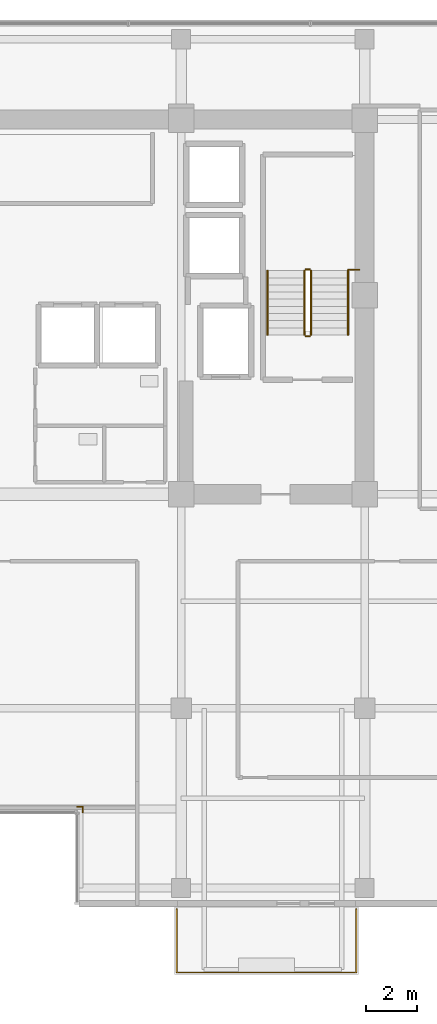
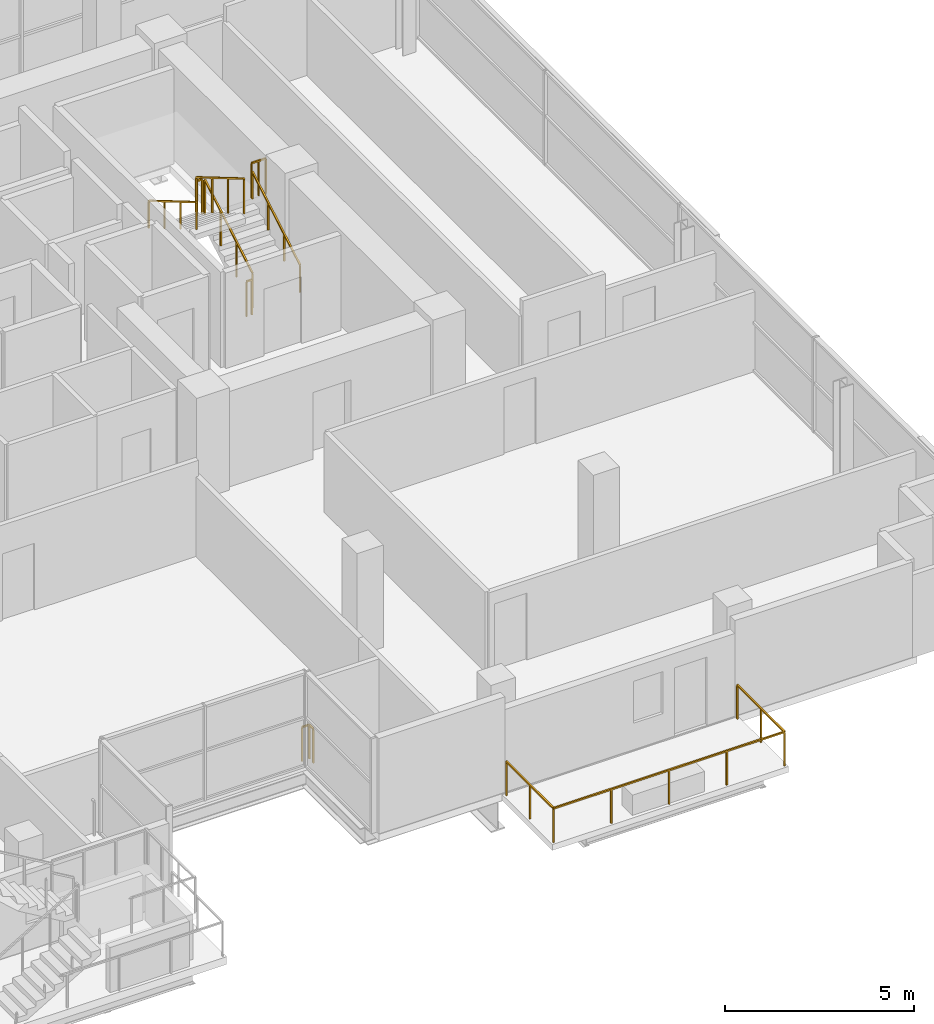
# One storey, part 22 of 23: 10 railings.
"""IFC4 building model written with IfcOpenShell, lengths in metres."""

from ifc_helpers import new_model, si_unit, direction, frame, origin, origin_2d, place, context, subcontext, project, spatial, rectangle, extrude, material, type_object, element, save


model = new_model("IFC4")

# Units and contexts
model_context = context("Model", 3, precision=1e-05, world=origin(), true_north=direction((0.0, 1.0)))
body_context = subcontext(model_context, "Body", "Model", "MODEL_VIEW")
ifc_project = project(units=[si_unit("LENGTHUNIT", "METRE"), si_unit("AREAUNIT", "SQUARE_METRE"), si_unit("VOLUMEUNIT", "CUBIC_METRE"), si_unit("PLANEANGLEUNIT", "RADIAN"), si_unit("MASSUNIT", "GRAM", prefix="KILO")], contexts=[model_context])

# Site, building, storey
site_placement = place(None, origin())
site = spatial("IfcSite", under=ifc_project, at=site_placement, CompositionType="ELEMENT")
building_placement = place(site_placement, origin())
building = spatial("IfcBuilding", under=site, at=building_placement, Name="Zarnakvel Exchange Tower", CompositionType="ELEMENT")
storey_placement = place(building_placement, frame((0.0, 0.0, 146.199951171875)))
storey = spatial("IfcBuildingStorey", under=building, at=storey_placement, Name="L40", CompositionType="ELEMENT", Elevation=146.199951171875)

# Railings
ifc_material_1 = material(Name="Architectural Bronze Anodised Aluminium", Category="aluminium")
railing_type_1 = type_object("IfcRailingType", Name="GR-02", PredefinedType="GUARDRAIL", material=ifc_material_1)
railing_1_placement = place(storey_placement, frame((7.030029296875, -17.47998046875, -0.034912109375)))
element("IfcRailing", 1, at=railing_1_placement, inside=storey, type_object=railing_type_1, Name="L40 Balcony Guardrail BAL-L40-SE", PredefinedType="GUARDRAIL", context=body_context, shape_type="SweptSolid", body=[
    extrude(rectangle(XDim=0.048095703125, YDim=0.048095703125, at=origin_2d()), frame((0.0, 0.0, 1.09619140625), z_axis=(0.0, -1.0, 0.0), x_axis=(1.0, 0.0, 0.0)), (0.0, 0.0, 1.0), 2.489990234375),
    extrude(rectangle(XDim=0.048095703125, YDim=0.048095703125, at=origin_2d()), frame((0.0, -2.489990234375, 1.09619140625), z_axis=(1.0, 0.0, 0.0), x_axis=(0.0, 1.0, 0.0)), (0.0, 0.0, 1.0), 7.0400390625),
    extrude(rectangle(XDim=0.048095703125, YDim=0.048095703125, at=origin_2d()), frame((7.0400390625, -2.489990234375, 1.09619140625), z_axis=(0.0, 1.0, 0.0), x_axis=(-1.0, 0.0, 0.0)), (0.0, 0.0, 1.0), 2.489990234375),
    extrude(rectangle(XDim=0.0419921875, YDim=0.0419921875, at=origin_2d()), origin(), (0.0, 0.0, 1.0), 1.072021484375),
    extrude(rectangle(XDim=0.0419921875, YDim=0.0419921875, at=origin_2d()), frame((0.0, -1.2451171875, 0.0)), (0.0, 0.0, 1.0), 1.072021484375),
    extrude(rectangle(XDim=0.0419921875, YDim=0.0419921875, at=origin_2d()), frame((0.0, -2.489990234375, 0.0)), (0.0, 0.0, 1.0), 1.072021484375),
    extrude(rectangle(XDim=0.0419921875, YDim=0.0419921875, at=origin_2d()), frame((1.760009765625, -2.489990234375, 0.0)), (0.0, 0.0, 1.0), 1.072021484375),
    extrude(rectangle(XDim=0.0419921875, YDim=0.0419921875, at=origin_2d()), frame((3.52001953125, -2.489990234375, 0.0)), (0.0, 0.0, 1.0), 1.072021484375),
    extrude(rectangle(XDim=0.0419921875, YDim=0.0419921875, at=origin_2d()), frame((5.280029296875, -2.489990234375, 0.0)), (0.0, 0.0, 1.0), 1.072021484375),
    extrude(rectangle(XDim=0.0419921875, YDim=0.0419921875, at=origin_2d()), frame((7.0400390625, -2.489990234375, 0.0)), (0.0, 0.0, 1.0), 1.072021484375),
    extrude(rectangle(XDim=0.0419921875, YDim=0.0419921875, at=origin_2d()), frame((7.0400390625, -1.2451171875, 0.0)), (0.0, 0.0, 1.0), 1.072021484375),
    extrude(rectangle(XDim=0.0419921875, YDim=0.0419921875, at=origin_2d()), frame((7.0400390625, 0.0, 0.0)), (0.0, 0.0, 1.0), 1.072021484375),
])
railing_2_placement = place(storey_placement, frame((3.340087890625, -13.679931640625, 0.0)))
element("IfcRailing", 2, at=railing_2_placement, inside=storey, type_object=railing_type_1, Name="L40 Corner Spandrel Balustrade #17", PredefinedType="GUARDRAIL", context=body_context, shape_type="SweptSolid", body=[
    extrude(rectangle(XDim=0.048095703125, YDim=0.048095703125, at=origin_2d()), frame((0.0, 0.0, 1.09619140625), z_axis=(0.0, 1.0, 0.0), x_axis=(-1.0, 0.0, 0.0)), (0.0, 0.0, 1.0), 0.219970703125),
    extrude(rectangle(XDim=0.0419921875, YDim=0.0419921875, at=origin_2d()), origin(), (0.0, 0.0, 1.0), 1.072021484375),
    extrude(rectangle(XDim=0.0419921875, YDim=0.0419921875, at=origin_2d()), frame((0.0, 0.219970703125, 0.0)), (0.0, 0.0, 1.0), 1.072021484375),
])
railing_3_placement = place(storey_placement, frame((3.340087890625, -13.4599609375, 0.0)))
element("IfcRailing", 3, at=railing_3_placement, inside=storey, type_object=railing_type_1, Name="L40 Corner Spandrel Balustrade #18", PredefinedType="GUARDRAIL", context=body_context, shape_type="SweptSolid", body=[
    extrude(rectangle(XDim=0.048095703125, YDim=0.048095703125, at=origin_2d()), frame((0.0, 0.0, 1.09619140625), z_axis=(-1.0, 0.0, 0.0), x_axis=(0.0, -1.0, 0.0)), (0.0, 0.0, 1.0), 0.219970703125),
    extrude(rectangle(XDim=0.0419921875, YDim=0.0419921875, at=origin_2d()), origin(), (0.0, 0.0, 1.0), 1.072021484375),
    extrude(rectangle(XDim=0.0419921875, YDim=0.0419921875, at=origin_2d()), frame((-0.219970703125, 0.0, 0.0)), (0.0, 0.0, 1.0), 1.072021484375),
])
ifc_material_2 = material(Name="Brushed Stainless Steel", Category="steel")
railing_type_2 = type_object("IfcRailingType", Name="HR-01", PredefinedType="HANDRAIL", material=ifc_material_2)
railing_4_placement = place(storey_placement, frame((13.75, 5.050048828125, 0.1650390625)))
element("IfcRailing", 4, at=railing_4_placement, inside=storey, type_object=railing_type_2, Name="L40 ST-02 stair handrail 1", PredefinedType="HANDRAIL", context=body_context, shape_type="SweptSolid", body=[
    extrude(rectangle(XDim=0.048095703125, YDim=0.048095703125, at=origin_2d()), frame((0.0, 0.0, 0.8759765625), z_axis=(0.0, 0.86152411907, 0.507716645641), x_axis=(-1.0, 0.0, 0.0)), (0.0, 0.0, 1.0), 2.925048828125),
    extrude(rectangle(XDim=0.0419921875, YDim=0.0419921875, at=origin_2d()), origin(), (0.0, 0.0, 1.0), 0.851806640625),
    extrude(rectangle(XDim=0.0419921875, YDim=0.0419921875, at=origin_2d()), frame((0.0, 0.840087890625, 0.4951171875)), (0.0, 0.0, 1.0), 0.851806640625),
    extrude(rectangle(XDim=0.0419921875, YDim=0.0419921875, at=origin_2d()), frame((0.0, 1.679931640625, 0.989990234375)), (0.0, 0.0, 1.0), 0.851806640625),
    extrude(rectangle(XDim=0.0419921875, YDim=0.0419921875, at=origin_2d()), frame((0.0, 2.52001953125, 1.485107421875)), (0.0, 0.0, 1.0), 0.851806640625),
])
railing_5_placement = place(storey_placement, frame((10.590087890625, 7.570068359375, 1.81494140625)))
element("IfcRailing", 5, at=railing_5_placement, inside=storey, type_object=railing_type_2, Name="L40 ST-02 stair handrail 2", PredefinedType="HANDRAIL", context=body_context, shape_type="SweptSolid", body=[
    extrude(rectangle(XDim=0.048095703125, YDim=0.048095703125, at=origin_2d()), frame((0.0, 0.0, 0.8759765625), z_axis=(0.0, -0.86152411907, 0.507716645641), x_axis=(1.0, 0.0, 0.0)), (0.0, 0.0, 1.0), 2.925048828125),
    extrude(rectangle(XDim=0.0419921875, YDim=0.0419921875, at=origin_2d()), origin(), (0.0, 0.0, 1.0), 0.851806640625),
    extrude(rectangle(XDim=0.0419921875, YDim=0.0419921875, at=origin_2d()), frame((0.0, -0.840087890625, 0.4951171875)), (0.0, 0.0, 1.0), 0.851806640625),
    extrude(rectangle(XDim=0.0419921875, YDim=0.0419921875, at=origin_2d()), frame((0.0, -1.679931640625, 0.989990234375)), (0.0, 0.0, 1.0), 0.851806640625),
    extrude(rectangle(XDim=0.0419921875, YDim=0.0419921875, at=origin_2d()), frame((0.0, -2.52001953125, 1.485107421875)), (0.0, 0.0, 1.0), 0.851806640625),
])
railing_type_3 = type_object("IfcRailingType", Name="SG-01", PredefinedType="GUARDRAIL", material=ifc_material_1)
railing_6_placement = place(storey_placement, frame((12.300048828125, 5.050048828125, 0.1650390625)))
element("IfcRailing", 6, at=railing_6_placement, inside=storey, type_object=railing_type_3, Name="L40 ST-02 stair guard 1", PredefinedType="GUARDRAIL", context=body_context, shape_type="SweptSolid", body=[
    extrude(rectangle(XDim=0.048095703125, YDim=0.048095703125, at=origin_2d()), frame((0.0, 0.0, 1.1259765625), z_axis=(0.0, 0.86152411907, 0.507716645641), x_axis=(-1.0, 0.0, 0.0)), (0.0, 0.0, 1.0), 2.925048828125),
    extrude(rectangle(XDim=0.0419921875, YDim=0.0419921875, at=origin_2d()), origin(), (0.0, 0.0, 1.0), 1.101806640625),
    extrude(rectangle(XDim=0.0419921875, YDim=0.0419921875, at=origin_2d()), frame((0.0, 0.840087890625, 0.4951171875)), (0.0, 0.0, 1.0), 1.101806640625),
    extrude(rectangle(XDim=0.0419921875, YDim=0.0419921875, at=origin_2d()), frame((0.0, 1.679931640625, 0.989990234375)), (0.0, 0.0, 1.0), 1.101806640625),
    extrude(rectangle(XDim=0.0419921875, YDim=0.0419921875, at=origin_2d()), frame((0.0, 2.52001953125, 1.485107421875)), (0.0, 0.0, 1.0), 1.101806640625),
])
railing_7_placement = place(storey_placement, frame((12.25, 7.6201171875, 1.650146484375)))
element("IfcRailing", 7, at=railing_7_placement, inside=storey, type_object=railing_type_3, Name="L40 ST-02 stair guard 2", PredefinedType="GUARDRAIL", context=body_context, shape_type="SweptSolid", body=[
    extrude(rectangle(XDim=0.048095703125, YDim=0.048095703125, at=origin_2d()), frame((0.0, 0.0, 1.1259765625), z_axis=(-1.0, 0.0, 0.0), x_axis=(0.0, -1.0, 0.0)), (0.0, 0.0, 1.0), 0.159912109375),
    extrude(rectangle(XDim=0.0419921875, YDim=0.0419921875, at=origin_2d()), origin(), (0.0, 0.0, 1.0), 1.101806640625),
    extrude(rectangle(XDim=0.0419921875, YDim=0.0419921875, at=origin_2d()), frame((-0.159912109375, 0.0, 0.0)), (0.0, 0.0, 1.0), 1.101806640625),
])
railing_8_placement = place(storey_placement, frame((12.0400390625, 7.570068359375, 1.81494140625)))
element("IfcRailing", 8, at=railing_8_placement, inside=storey, type_object=railing_type_3, Name="L40 ST-02 stair guard 3", PredefinedType="GUARDRAIL", context=body_context, shape_type="SweptSolid", body=[
    extrude(rectangle(XDim=0.048095703125, YDim=0.048095703125, at=origin_2d()), frame((0.0, 0.0, 1.1259765625), z_axis=(0.0, -0.86152411907, 0.507716645641), x_axis=(1.0, 0.0, 0.0)), (0.0, 0.0, 1.0), 2.925048828125),
    extrude(rectangle(XDim=0.0419921875, YDim=0.0419921875, at=origin_2d()), origin(), (0.0, 0.0, 1.0), 1.101806640625),
    extrude(rectangle(XDim=0.0419921875, YDim=0.0419921875, at=origin_2d()), frame((0.0, -0.840087890625, 0.4951171875)), (0.0, 0.0, 1.0), 1.101806640625),
    extrude(rectangle(XDim=0.0419921875, YDim=0.0419921875, at=origin_2d()), frame((0.0, -1.679931640625, 0.989990234375)), (0.0, 0.0, 1.0), 1.101806640625),
    extrude(rectangle(XDim=0.0419921875, YDim=0.0419921875, at=origin_2d()), frame((0.0, -2.52001953125, 1.485107421875)), (0.0, 0.0, 1.0), 1.101806640625),
])
railing_9_placement = place(storey_placement, frame((12.25, 5.0, 0.0)))
element("IfcRailing", 9, at=railing_9_placement, inside=storey, type_object=railing_type_3, Name="L40 ST-02 stair guard 4", PredefinedType="GUARDRAIL", context=body_context, shape_type="SweptSolid", body=[
    extrude(rectangle(XDim=0.048095703125, YDim=0.048095703125, at=origin_2d()), frame((0.0, 0.0, 1.1259765625), z_axis=(-1.0, 0.0, 0.0), x_axis=(0.0, -1.0, 0.0)), (0.0, 0.0, 1.0), 0.159912109375),
    extrude(rectangle(XDim=0.0419921875, YDim=0.0419921875, at=origin_2d()), origin(), (0.0, 0.0, 1.0), 1.101806640625),
    extrude(rectangle(XDim=0.0419921875, YDim=0.0419921875, at=origin_2d()), frame((-0.159912109375, 0.0, 0.0)), (0.0, 0.0, 1.0), 1.101806640625),
])
railing_10_placement = place(storey_placement, frame((13.75, 7.610107421875, 1.650146484375)))
element("IfcRailing", 10, at=railing_10_placement, inside=storey, type_object=railing_type_3, Name="L40 ST-02 Landing Slot Guardrail", PredefinedType="GUARDRAIL", context=body_context, shape_type="SweptSolid", body=[
    extrude(rectangle(XDim=0.048095703125, YDim=0.048095703125, at=origin_2d()), frame((0.0, 0.0, 1.1259765625), z_axis=(1.0, 0.0, 0.0), x_axis=(0.0, 1.0, 0.0)), (0.0, 0.0, 1.0), 0.429931640625),
    extrude(rectangle(XDim=0.0419921875, YDim=0.0419921875, at=origin_2d()), origin(), (0.0, 0.0, 1.0), 1.101806640625),
    extrude(rectangle(XDim=0.0419921875, YDim=0.0419921875, at=origin_2d()), frame((0.21484375, 0.0, 0.0)), (0.0, 0.0, 1.0), 1.101806640625),
    extrude(rectangle(XDim=0.0419921875, YDim=0.0419921875, at=origin_2d()), frame((0.429931640625, 0.0, 0.0)), (0.0, 0.0, 1.0), 1.101806640625),
])

save(model, "model.ifc")
